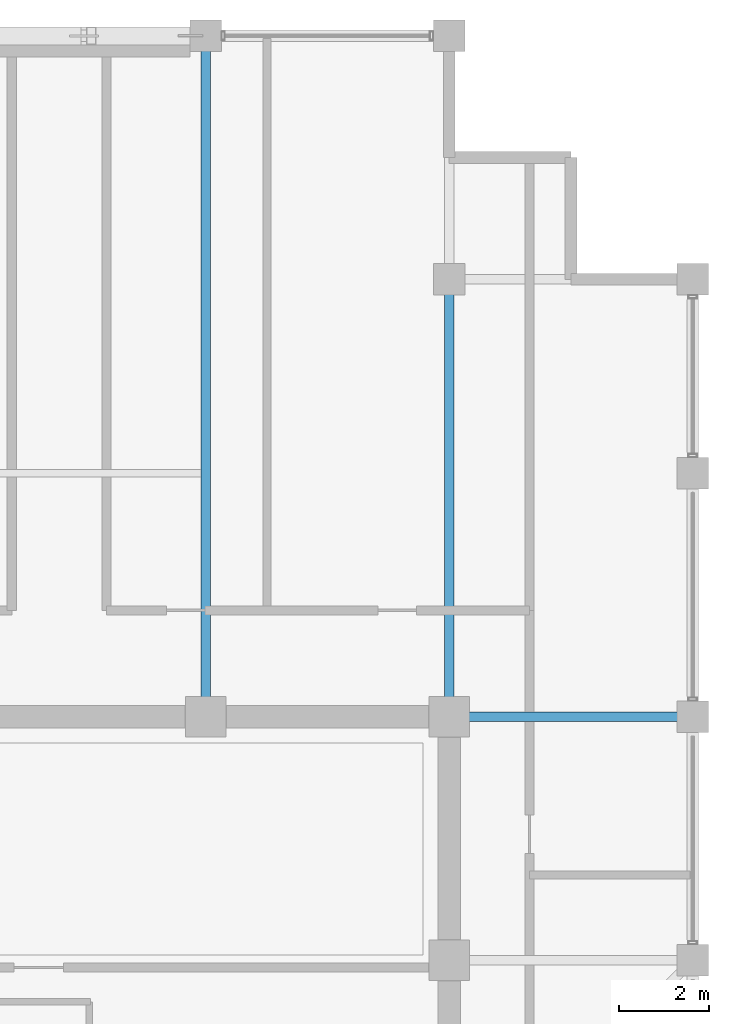
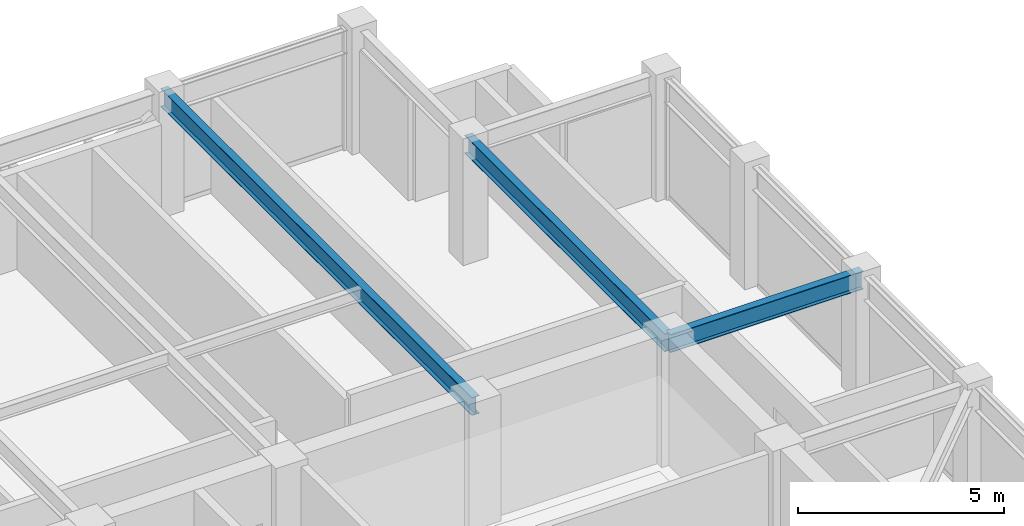
# One storey, part 20 of 30: 3 beams.
"""IFC4 building model written with IfcOpenShell, lengths in metres."""

from ifc_helpers import new_model, si_unit, direction, frame, origin, origin_2d, place, context, subcontext, project, spatial, i_section, extrude, material, material_profile, profile_set, type_object, element, save


model = new_model("IFC4")

# Units and contexts
model_context = context("Model", 3, precision=1e-05, world=origin(), true_north=direction((0.0, 1.0)))
body_context = subcontext(model_context, "Body", "Model", "MODEL_VIEW")
ifc_project = project(units=[si_unit("LENGTHUNIT", "METRE"), si_unit("AREAUNIT", "SQUARE_METRE"), si_unit("VOLUMEUNIT", "CUBIC_METRE"), si_unit("PLANEANGLEUNIT", "RADIAN"), si_unit("MASSUNIT", "GRAM", prefix="KILO")], contexts=[model_context])

# Site, building, storey
site_placement = place(None, origin())
site = spatial("IfcSite", under=ifc_project, at=site_placement, CompositionType="ELEMENT")
building_placement = place(site_placement, origin())
building = spatial("IfcBuilding", under=site, at=building_placement, Name="Surkhivell Harbour Commons", CompositionType="ELEMENT")
storey_placement = place(building_placement, frame((0.0, 0.0, 292.5)))
storey = spatial("IfcBuildingStorey", under=building, at=storey_placement, Name="L76", CompositionType="ELEMENT", Elevation=292.5)

# Beams
ifc_material = material(Name="Steel S355", Category="steel")
ifc_material_profile = material_profile(ifc_material, i_section(OverallWidth=0.2099609375, OverallDepth=0.537109375, WebThickness=0.0107421875, FlangeThickness=0.017333984375, at=origin_2d()), Name="UB533x210x101")
ifc_profile_set = profile_set([ifc_material_profile], Name="Steel S355")
beam_type = type_object("IfcBeamType", Name="BM-GRD-533B", PredefinedType="BEAM", material=ifc_profile_set)
beam_1_placement = place(storey_placement, frame((5.39990234375, 10.800048828125, 3.301513671875), z_axis=(0.0, 1.0, 0.0), x_axis=(-1.0, 0.0, 0.0)))
element("IfcBeam", 1, at=beam_1_placement, inside=storey, type_object=beam_type, Name="L76 Floor Girder (5.4,10.8)", PredefinedType="BEAM", context=body_context, shape_type="SweptSolid", body=[
    extrude(i_section(OverallWidth=0.2099609375, OverallDepth=0.537109375, WebThickness=0.0107421875, FlangeThickness=0.017333984375, at=origin_2d()), origin(), (0.0, 0.0, 1.0), 15.099853515625),
])
beam_2_placement = place(storey_placement, frame((10.800048828125, 10.800048828125, 3.301513671875), z_axis=(0.0, 1.0, 0.0), x_axis=(-1.0, 0.0, 0.0)))
element("IfcBeam", 2, at=beam_2_placement, inside=storey, type_object=beam_type, Name="L76 Floor Girder (10.8,10.8)", PredefinedType="BEAM", context=body_context, shape_type="SweptSolid", body=[
    extrude(i_section(OverallWidth=0.2099609375, OverallDepth=0.537109375, WebThickness=0.0107421875, FlangeThickness=0.017333984375, at=origin_2d()), origin(), (0.0, 0.0, 1.0), 9.699951171875),
])
beam_3_placement = place(storey_placement, frame((10.800048828125, 10.800048828125, 3.301513671875), z_axis=(1.0, 0.0, 0.0), x_axis=(0.0, 1.0, 0.0)))
element("IfcBeam", 3, at=beam_3_placement, inside=storey, type_object=beam_type, Name="L76 Floor Girder (10.8,10.8)", PredefinedType="BEAM", context=body_context, shape_type="SweptSolid", body=[
    extrude(i_section(OverallWidth=0.2099609375, OverallDepth=0.537109375, WebThickness=0.0107421875, FlangeThickness=0.017333984375, at=origin_2d()), origin(), (0.0, 0.0, 1.0), 5.39990234375),
])

save(model, "model.ifc")
